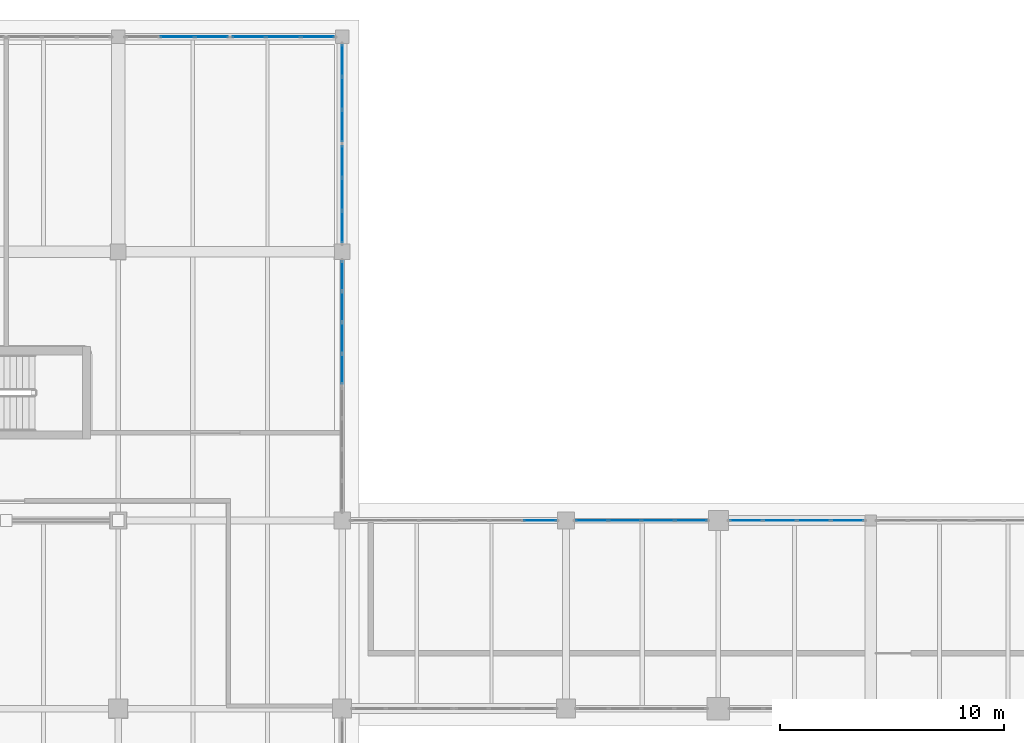
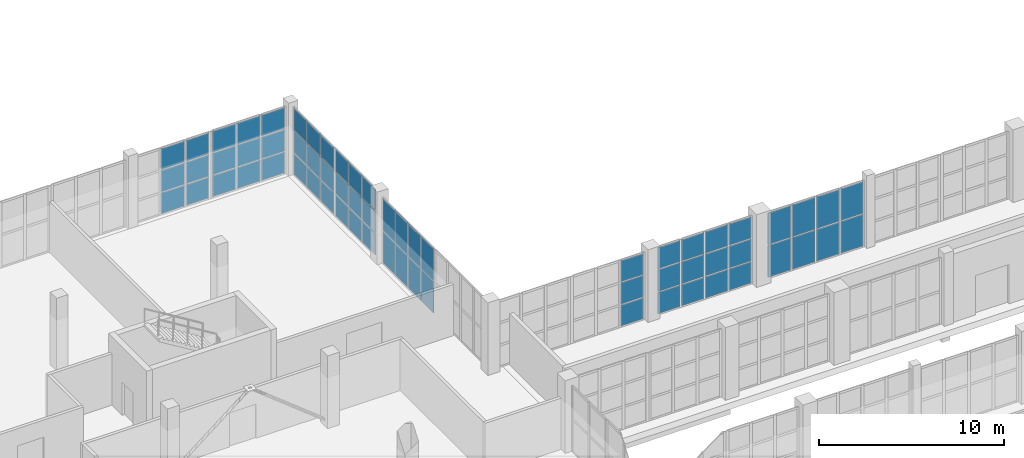
# One storey, part 89 of 121: 64 plates, 8 elements without a shape of their own.
"""IFC4 building model written with IfcOpenShell, lengths in metres."""

from ifc_helpers import new_model, si_unit, direction, frame, origin, origin_2d, place, context, subcontext, project, spatial, rectangle, extrude, material, layer, layer_set, type_object, element, aggregate, save


model = new_model("IFC4")

# Units and contexts
model_context = context("Model", 3, precision=1e-05, world=origin(), true_north=direction((0.0, 1.0)))
body_context = subcontext(model_context, "Body", "Model", "MODEL_VIEW")
ifc_project = project(units=[si_unit("LENGTHUNIT", "METRE"), si_unit("AREAUNIT", "SQUARE_METRE"), si_unit("VOLUMEUNIT", "CUBIC_METRE"), si_unit("PLANEANGLEUNIT", "RADIAN"), si_unit("MASSUNIT", "GRAM", prefix="KILO")], contexts=[model_context])

# Site, building, storey
site_placement = place(None, origin())
site = spatial("IfcSite", under=ifc_project, at=site_placement, CompositionType="ELEMENT")
building_placement = place(site_placement, origin())
building = spatial("IfcBuilding", under=site, at=building_placement, Name="Zereglee Splitstone Museum", CompositionType="ELEMENT")
storey_placement = place(building_placement, origin())
storey = spatial("IfcBuildingStorey", under=building, at=storey_placement, Name="L00", CompositionType="ELEMENT", Elevation=0.0)

# Curtain wall, plates
ifc_material_1 = material(Name="Triple-glazed low-E argon glass and bronze-anodised aluminium", Category="aluminium")
ifc_layer_1 = layer(ifc_material_1, 0.179931640625)
ifc_layer_set_1 = layer_set([ifc_layer_1], Name="Triple-glazed low-E argon glass and bronze-anodised aluminium")
curtain_wall_type_1 = type_object("IfcCurtainWallType", Name="CW-0608-438", PredefinedType="USERDEFINED", material=ifc_layer_set_1)
curtain_wall_1_placement = place(storey_placement, origin())
curtain_wall_1 = element("IfcCurtainWall", 1, at=curtain_wall_1_placement, inside=storey, type_object=curtain_wall_type_1, Name="Glazed Curtain Wall CW-0608-438 (L00)", ObjectType="GLAZED CURTAIN WALL", PredefinedType="USERDEFINED")
ifc_material_2 = material(Name="Triple low-e argon insulated safety glass", Category="glass")
ifc_layer_2 = layer(ifc_material_2, 0.035888671875)
ifc_layer_set_2 = layer_set([ifc_layer_2], Name="Triple low-e argon insulated safety glass")
plate_type = type_object("IfcPlateType", Name="CWP-01", PredefinedType="CURTAIN_PANEL", material=ifc_layer_set_2)
plate_1_placement = place(storey_placement, frame((227.76513671875, 38.39990234375, 0.06494140625), z_axis=(0.0, 0.0, 1.0), x_axis=(-1.0, 0.0, 0.0)))
plate_1 = element("IfcPlate", 2, at=plate_1_placement, type_object=plate_type, Name="CW-0608-438 panel 1.1", PredefinedType="CURTAIN_PANEL", context=body_context, shape_type="SweptSolid", body=[
    extrude(rectangle(XDim=1.423583984375, YDim=0.035888671875, at=origin_2d()), origin(), (0.0, 0.0, 1.0), 2.092529296875),
])
plate_2_placement = place(storey_placement, frame((227.76513671875, 38.39990234375, 2.22265625), z_axis=(0.0, 0.0, 1.0), x_axis=(-1.0, 0.0, 0.0)))
plate_2 = element("IfcPlate", 3, at=plate_2_placement, type_object=plate_type, Name="CW-0608-438 panel 1.2", PredefinedType="CURTAIN_PANEL", context=body_context, shape_type="SweptSolid", body=[
    extrude(rectangle(XDim=1.423583984375, YDim=0.035888671875, at=origin_2d()), origin(), (0.0, 0.0, 1.0), 2.092529296875),
])
plate_3_placement = place(storey_placement, frame((226.260498046875, 38.39990234375, 0.06494140625), z_axis=(0.0, 0.0, 1.0), x_axis=(-1.0, 0.0, 0.0)))
plate_3 = element("IfcPlate", 4, at=plate_3_placement, type_object=plate_type, Name="CW-0608-438 panel 2.1", PredefinedType="CURTAIN_PANEL", context=body_context, shape_type="SweptSolid", body=[
    extrude(rectangle(XDim=1.4560546875, YDim=0.035888671875, at=origin_2d()), origin(), (0.0, 0.0, 1.0), 2.092529296875),
])
plate_4_placement = place(storey_placement, frame((226.260498046875, 38.39990234375, 2.22265625), z_axis=(0.0, 0.0, 1.0), x_axis=(-1.0, 0.0, 0.0)))
plate_4 = element("IfcPlate", 5, at=plate_4_placement, type_object=plate_type, Name="CW-0608-438 panel 2.2", PredefinedType="CURTAIN_PANEL", context=body_context, shape_type="SweptSolid", body=[
    extrude(rectangle(XDim=1.4560546875, YDim=0.035888671875, at=origin_2d()), origin(), (0.0, 0.0, 1.0), 2.092529296875),
])
plate_5_placement = place(storey_placement, frame((224.739501953125, 38.39990234375, 0.06494140625), z_axis=(0.0, 0.0, 1.0), x_axis=(-1.0, 0.0, 0.0)))
plate_5 = element("IfcPlate", 6, at=plate_5_placement, type_object=plate_type, Name="CW-0608-438 panel 3.1", PredefinedType="CURTAIN_PANEL", context=body_context, shape_type="SweptSolid", body=[
    extrude(rectangle(XDim=1.4560546875, YDim=0.035888671875, at=origin_2d()), origin(), (0.0, 0.0, 1.0), 2.092529296875),
])
plate_6_placement = place(storey_placement, frame((224.739501953125, 38.39990234375, 2.22265625), z_axis=(0.0, 0.0, 1.0), x_axis=(-1.0, 0.0, 0.0)))
plate_6 = element("IfcPlate", 7, at=plate_6_placement, type_object=plate_type, Name="CW-0608-438 panel 3.2", PredefinedType="CURTAIN_PANEL", context=body_context, shape_type="SweptSolid", body=[
    extrude(rectangle(XDim=1.4560546875, YDim=0.035888671875, at=origin_2d()), origin(), (0.0, 0.0, 1.0), 2.092529296875),
])
plate_7_placement = place(storey_placement, frame((223.23486328125, 38.39990234375, 0.06494140625), z_axis=(0.0, 0.0, 1.0), x_axis=(-1.0, 0.0, 0.0)))
plate_7 = element("IfcPlate", 8, at=plate_7_placement, type_object=plate_type, Name="CW-0608-438 panel 4.1", PredefinedType="CURTAIN_PANEL", context=body_context, shape_type="SweptSolid", body=[
    extrude(rectangle(XDim=1.423583984375, YDim=0.035888671875, at=origin_2d()), origin(), (0.0, 0.0, 1.0), 2.092529296875),
])
plate_8_placement = place(storey_placement, frame((223.23486328125, 38.39990234375, 2.22265625), z_axis=(0.0, 0.0, 1.0), x_axis=(-1.0, 0.0, 0.0)))
plate_8 = element("IfcPlate", 9, at=plate_8_placement, type_object=plate_type, Name="CW-0608-438 panel 4.2", PredefinedType="CURTAIN_PANEL", context=body_context, shape_type="SweptSolid", body=[
    extrude(rectangle(XDim=1.423583984375, YDim=0.035888671875, at=origin_2d()), origin(), (0.0, 0.0, 1.0), 2.092529296875),
])
aggregate(curtain_wall_1, [plate_1, plate_2, plate_3, plate_4, plate_5, plate_6, plate_7, plate_8])

ifc_layer_3 = layer(ifc_material_1, 0.179931640625)
ifc_layer_set_3 = layer_set([ifc_layer_3], Name="Triple-glazed low-E argon glass and bronze-anodised aluminium")
curtain_wall_type_2 = type_object("IfcCurtainWallType", Name="CW-0596-450", PredefinedType="USERDEFINED", material=ifc_layer_set_3)
curtain_wall_2_placement = place(storey_placement, origin())
curtain_wall_2 = element("IfcCurtainWall", 10, at=curtain_wall_2_placement, inside=storey, type_object=curtain_wall_type_2, Name="Glazed Curtain Wall CW-0596-450 (L00)", ObjectType="GLAZED CURTAIN WALL", PredefinedType="USERDEFINED")
plate_9_placement = place(storey_placement, frame((220.78076171875, 38.39990234375, 0.06494140625), z_axis=(0.0, 0.0, 1.0), x_axis=(-1.0, 0.0, 0.0)))
plate_9 = element("IfcPlate", 11, at=plate_9_placement, type_object=plate_type, Name="CW-0596-450 panel 1.1", PredefinedType="CURTAIN_PANEL", context=body_context, shape_type="SweptSolid", body=[
    extrude(rectangle(XDim=1.392333984375, YDim=0.035888671875, at=origin_2d()), origin(), (0.0, 0.0, 1.0), 1.402587890625),
])
plate_10_placement = place(storey_placement, frame((220.78076171875, 38.39990234375, 1.532470703125), z_axis=(0.0, 0.0, 1.0), x_axis=(-1.0, 0.0, 0.0)))
plate_10 = element("IfcPlate", 12, at=plate_10_placement, type_object=plate_type, Name="CW-0596-450 panel 1.2", PredefinedType="CURTAIN_PANEL", context=body_context, shape_type="SweptSolid", body=[
    extrude(rectangle(XDim=1.392333984375, YDim=0.035888671875, at=origin_2d()), origin(), (0.0, 0.0, 1.0), 1.43505859375),
])
plate_11_placement = place(storey_placement, frame((220.78076171875, 38.39990234375, 3.0322265625), z_axis=(0.0, 0.0, 1.0), x_axis=(-1.0, 0.0, 0.0)))
plate_11 = element("IfcPlate", 13, at=plate_11_placement, type_object=plate_type, Name="CW-0596-450 panel 1.3", PredefinedType="CURTAIN_PANEL", context=body_context, shape_type="SweptSolid", body=[
    extrude(rectangle(XDim=1.392333984375, YDim=0.035888671875, at=origin_2d()), origin(), (0.0, 0.0, 1.0), 1.402587890625),
])
plate_12_placement = place(storey_placement, frame((219.307373046875, 38.39990234375, 0.06494140625), z_axis=(0.0, 0.0, 1.0), x_axis=(-1.0, 0.0, 0.0)))
plate_12 = element("IfcPlate", 14, at=plate_12_placement, type_object=plate_type, Name="CW-0596-450 panel 2.1", PredefinedType="CURTAIN_PANEL", context=body_context, shape_type="SweptSolid", body=[
    extrude(rectangle(XDim=1.4248046875, YDim=0.035888671875, at=origin_2d()), origin(), (0.0, 0.0, 1.0), 1.402587890625),
])
plate_13_placement = place(storey_placement, frame((219.307373046875, 38.39990234375, 1.532470703125), z_axis=(0.0, 0.0, 1.0), x_axis=(-1.0, 0.0, 0.0)))
plate_13 = element("IfcPlate", 15, at=plate_13_placement, type_object=plate_type, Name="CW-0596-450 panel 2.2", PredefinedType="CURTAIN_PANEL", context=body_context, shape_type="SweptSolid", body=[
    extrude(rectangle(XDim=1.4248046875, YDim=0.035888671875, at=origin_2d()), origin(), (0.0, 0.0, 1.0), 1.43505859375),
])
plate_14_placement = place(storey_placement, frame((219.307373046875, 38.39990234375, 3.0322265625), z_axis=(0.0, 0.0, 1.0), x_axis=(-1.0, 0.0, 0.0)))
plate_14 = element("IfcPlate", 16, at=plate_14_placement, type_object=plate_type, Name="CW-0596-450 panel 2.3", PredefinedType="CURTAIN_PANEL", context=body_context, shape_type="SweptSolid", body=[
    extrude(rectangle(XDim=1.4248046875, YDim=0.035888671875, at=origin_2d()), origin(), (0.0, 0.0, 1.0), 1.402587890625),
])
plate_15_placement = place(storey_placement, frame((217.817626953125, 38.39990234375, 0.06494140625), z_axis=(0.0, 0.0, 1.0), x_axis=(-1.0, 0.0, 0.0)))
plate_15 = element("IfcPlate", 17, at=plate_15_placement, type_object=plate_type, Name="CW-0596-450 panel 3.1", PredefinedType="CURTAIN_PANEL", context=body_context, shape_type="SweptSolid", body=[
    extrude(rectangle(XDim=1.4248046875, YDim=0.035888671875, at=origin_2d()), origin(), (0.0, 0.0, 1.0), 1.402587890625),
])
plate_16_placement = place(storey_placement, frame((217.817626953125, 38.39990234375, 1.532470703125), z_axis=(0.0, 0.0, 1.0), x_axis=(-1.0, 0.0, 0.0)))
plate_16 = element("IfcPlate", 18, at=plate_16_placement, type_object=plate_type, Name="CW-0596-450 panel 3.2", PredefinedType="CURTAIN_PANEL", context=body_context, shape_type="SweptSolid", body=[
    extrude(rectangle(XDim=1.4248046875, YDim=0.035888671875, at=origin_2d()), origin(), (0.0, 0.0, 1.0), 1.43505859375),
])
plate_17_placement = place(storey_placement, frame((217.817626953125, 38.39990234375, 3.0322265625), z_axis=(0.0, 0.0, 1.0), x_axis=(-1.0, 0.0, 0.0)))
plate_17 = element("IfcPlate", 19, at=plate_17_placement, type_object=plate_type, Name="CW-0596-450 panel 3.3", PredefinedType="CURTAIN_PANEL", context=body_context, shape_type="SweptSolid", body=[
    extrude(rectangle(XDim=1.4248046875, YDim=0.035888671875, at=origin_2d()), origin(), (0.0, 0.0, 1.0), 1.402587890625),
])
plate_18_placement = place(storey_placement, frame((216.34423828125, 38.39990234375, 0.06494140625), z_axis=(0.0, 0.0, 1.0), x_axis=(-1.0, 0.0, 0.0)))
plate_18 = element("IfcPlate", 20, at=plate_18_placement, type_object=plate_type, Name="CW-0596-450 panel 4.1", PredefinedType="CURTAIN_PANEL", context=body_context, shape_type="SweptSolid", body=[
    extrude(rectangle(XDim=1.392333984375, YDim=0.035888671875, at=origin_2d()), origin(), (0.0, 0.0, 1.0), 1.402587890625),
])
plate_19_placement = place(storey_placement, frame((216.34423828125, 38.39990234375, 1.532470703125), z_axis=(0.0, 0.0, 1.0), x_axis=(-1.0, 0.0, 0.0)))
plate_19 = element("IfcPlate", 21, at=plate_19_placement, type_object=plate_type, Name="CW-0596-450 panel 4.2", PredefinedType="CURTAIN_PANEL", context=body_context, shape_type="SweptSolid", body=[
    extrude(rectangle(XDim=1.392333984375, YDim=0.035888671875, at=origin_2d()), origin(), (0.0, 0.0, 1.0), 1.43505859375),
])
plate_20_placement = place(storey_placement, frame((216.34423828125, 38.39990234375, 3.0322265625), z_axis=(0.0, 0.0, 1.0), x_axis=(-1.0, 0.0, 0.0)))
plate_20 = element("IfcPlate", 22, at=plate_20_placement, type_object=plate_type, Name="CW-0596-450 panel 4.3", PredefinedType="CURTAIN_PANEL", context=body_context, shape_type="SweptSolid", body=[
    extrude(rectangle(XDim=1.392333984375, YDim=0.035888671875, at=origin_2d()), origin(), (0.0, 0.0, 1.0), 1.402587890625),
])
aggregate(curtain_wall_2, [plate_9, plate_10, plate_11, plate_12, plate_13, plate_14, plate_15, plate_16, plate_17, plate_18, plate_19, plate_20])

ifc_layer_4 = layer(ifc_material_1, 0.179931640625)
ifc_layer_set_4 = layer_set([ifc_layer_4], Name="Triple-glazed low-E argon glass and bronze-anodised aluminium")
curtain_wall_type_3 = type_object("IfcCurtainWallType", Name="CW-0458-444", PredefinedType="USERDEFINED", material=ifc_layer_set_4)
curtain_wall_3_placement = place(storey_placement, origin())
curtain_wall_3 = element("IfcCurtainWall", 23, at=curtain_wall_3_placement, inside=storey, type_object=curtain_wall_type_3, Name="Glazed Curtain Wall CW-0458-444 (L00)", ObjectType="GLAZED CURTAIN WALL", PredefinedType="USERDEFINED")
plate_21_placement = place(storey_placement, frame((214.037841796875, 38.39990234375, 0.06494140625), z_axis=(0.0, 0.0, 1.0), x_axis=(-1.0, 0.0, 0.0)))
plate_21 = element("IfcPlate", 24, at=plate_21_placement, type_object=plate_type, Name="CW-0458-444 panel 1.1", PredefinedType="CURTAIN_PANEL", context=body_context, shape_type="SweptSolid", body=[
    extrude(rectangle(XDim=1.42822265625, YDim=0.035888671875, at=origin_2d()), origin(), (0.0, 0.0, 1.0), 1.382568359375),
])
plate_22_placement = place(storey_placement, frame((214.037841796875, 38.39990234375, 1.512451171875), z_axis=(0.0, 0.0, 1.0), x_axis=(-1.0, 0.0, 0.0)))
plate_22 = element("IfcPlate", 25, at=plate_22_placement, type_object=plate_type, Name="CW-0458-444 panel 1.2", PredefinedType="CURTAIN_PANEL", context=body_context, shape_type="SweptSolid", body=[
    extrude(rectangle(XDim=1.42822265625, YDim=0.035888671875, at=origin_2d()), origin(), (0.0, 0.0, 1.0), 1.4150390625),
])
plate_23_placement = place(storey_placement, frame((214.037841796875, 38.39990234375, 2.99267578125), z_axis=(0.0, 0.0, 1.0), x_axis=(-1.0, 0.0, 0.0)))
plate_23 = element("IfcPlate", 26, at=plate_23_placement, type_object=plate_type, Name="CW-0458-444 panel 1.3", PredefinedType="CURTAIN_PANEL", context=body_context, shape_type="SweptSolid", body=[
    extrude(rectangle(XDim=1.42822265625, YDim=0.035888671875, at=origin_2d()), origin(), (0.0, 0.0, 1.0), 1.382568359375),
])
aggregate(curtain_wall_3, [plate_21, plate_22, plate_23])

ifc_layer_5 = layer(ifc_material_1, 0.179931640625)
ifc_layer_set_5 = layer_set([ifc_layer_5], Name="Triple-glazed low-E argon glass and bronze-anodised aluminium")
curtain_wall_type_4 = type_object("IfcCurtainWallType", Name="CW-0559-436", PredefinedType="USERDEFINED", material=ifc_layer_set_5)
curtain_wall_4_placement = place(storey_placement, origin())
curtain_wall_4 = element("IfcCurtainWall", 27, at=curtain_wall_4_placement, inside=storey, type_object=curtain_wall_type_4, Name="Glazed Curtain Wall CW-0559-436 (L00)", ObjectType="GLAZED CURTAIN WALL", PredefinedType="USERDEFINED")
plate_24_placement = place(storey_placement, frame((205.199951171875, 45.16748046875, 0.06494140625), z_axis=(0.0, 0.0, 1.0), x_axis=(0.0, 1.0, 0.0)))
plate_24 = element("IfcPlate", 28, at=plate_24_placement, type_object=plate_type, Name="CW-0559-436 panel 1.1", PredefinedType="CURTAIN_PANEL", context=body_context, shape_type="SweptSolid", body=[
    extrude(rectangle(XDim=1.2998046875, YDim=0.035888671875, at=origin_2d()), origin(), (0.0, 0.0, 1.0), 2.08251953125),
])
plate_25_placement = place(storey_placement, frame((205.199951171875, 45.16748046875, 2.21240234375), z_axis=(0.0, 0.0, 1.0), x_axis=(0.0, 1.0, 0.0)))
plate_25 = element("IfcPlate", 29, at=plate_25_placement, type_object=plate_type, Name="CW-0559-436 panel 1.2", PredefinedType="CURTAIN_PANEL", context=body_context, shape_type="SweptSolid", body=[
    extrude(rectangle(XDim=1.2998046875, YDim=0.035888671875, at=origin_2d()), origin(), (0.0, 0.0, 1.0), 2.08251953125),
])
plate_26_placement = place(storey_placement, frame((205.199951171875, 46.548583984375, 0.06494140625), z_axis=(0.0, 0.0, 1.0), x_axis=(0.0, 1.0, 0.0)))
plate_26 = element("IfcPlate", 30, at=plate_26_placement, type_object=plate_type, Name="CW-0559-436 panel 2.1", PredefinedType="CURTAIN_PANEL", context=body_context, shape_type="SweptSolid", body=[
    extrude(rectangle(XDim=1.332275390625, YDim=0.035888671875, at=origin_2d()), origin(), (0.0, 0.0, 1.0), 2.08251953125),
])
plate_27_placement = place(storey_placement, frame((205.199951171875, 46.548583984375, 2.21240234375), z_axis=(0.0, 0.0, 1.0), x_axis=(0.0, 1.0, 0.0)))
plate_27 = element("IfcPlate", 31, at=plate_27_placement, type_object=plate_type, Name="CW-0559-436 panel 2.2", PredefinedType="CURTAIN_PANEL", context=body_context, shape_type="SweptSolid", body=[
    extrude(rectangle(XDim=1.332275390625, YDim=0.035888671875, at=origin_2d()), origin(), (0.0, 0.0, 1.0), 2.08251953125),
])
plate_28_placement = place(storey_placement, frame((205.199951171875, 47.946044921875, 0.06494140625), z_axis=(0.0, 0.0, 1.0), x_axis=(0.0, 1.0, 0.0)))
plate_28 = element("IfcPlate", 32, at=plate_28_placement, type_object=plate_type, Name="CW-0559-436 panel 3.1", PredefinedType="CURTAIN_PANEL", context=body_context, shape_type="SweptSolid", body=[
    extrude(rectangle(XDim=1.332275390625, YDim=0.035888671875, at=origin_2d()), origin(), (0.0, 0.0, 1.0), 2.08251953125),
])
plate_29_placement = place(storey_placement, frame((205.199951171875, 47.946044921875, 2.21240234375), z_axis=(0.0, 0.0, 1.0), x_axis=(0.0, 1.0, 0.0)))
plate_29 = element("IfcPlate", 33, at=plate_29_placement, type_object=plate_type, Name="CW-0559-436 panel 3.2", PredefinedType="CURTAIN_PANEL", context=body_context, shape_type="SweptSolid", body=[
    extrude(rectangle(XDim=1.332275390625, YDim=0.035888671875, at=origin_2d()), origin(), (0.0, 0.0, 1.0), 2.08251953125),
])
plate_30_placement = place(storey_placement, frame((205.199951171875, 49.3271484375, 0.06494140625), z_axis=(0.0, 0.0, 1.0), x_axis=(0.0, 1.0, 0.0)))
plate_30 = element("IfcPlate", 34, at=plate_30_placement, type_object=plate_type, Name="CW-0559-436 panel 4.1", PredefinedType="CURTAIN_PANEL", context=body_context, shape_type="SweptSolid", body=[
    extrude(rectangle(XDim=1.2998046875, YDim=0.035888671875, at=origin_2d()), origin(), (0.0, 0.0, 1.0), 2.08251953125),
])
plate_31_placement = place(storey_placement, frame((205.199951171875, 49.3271484375, 2.21240234375), z_axis=(0.0, 0.0, 1.0), x_axis=(0.0, 1.0, 0.0)))
plate_31 = element("IfcPlate", 35, at=plate_31_placement, type_object=plate_type, Name="CW-0559-436 panel 4.2", PredefinedType="CURTAIN_PANEL", context=body_context, shape_type="SweptSolid", body=[
    extrude(rectangle(XDim=1.2998046875, YDim=0.035888671875, at=origin_2d()), origin(), (0.0, 0.0, 1.0), 2.08251953125),
])
aggregate(curtain_wall_4, [plate_24, plate_25, plate_26, plate_27, plate_28, plate_29, plate_30, plate_31])

ifc_layer_6 = layer(ifc_material_1, 0.179931640625)
ifc_layer_set_6 = layer_set([ifc_layer_6], Name="Triple-glazed low-E argon glass and bronze-anodised aluminium")
curtain_wall_type_5 = type_object("IfcCurtainWallType", Name="CW-0443-450", PredefinedType="USERDEFINED", material=ifc_layer_set_6)
curtain_wall_5_placement = place(storey_placement, origin())
curtain_wall_5 = element("IfcCurtainWall", 36, at=curtain_wall_5_placement, inside=storey, type_object=curtain_wall_type_5, Name="Glazed Curtain Wall CW-0443-450 (L00)", ObjectType="GLAZED CURTAIN WALL", PredefinedType="USERDEFINED")
plate_32_placement = place(storey_placement, frame((205.199951171875, 51.511962890625, 0.06494140625), z_axis=(0.0, 0.0, 1.0), x_axis=(0.0, 1.0, 0.0)))
plate_32 = element("IfcPlate", 37, at=plate_32_placement, type_object=plate_type, Name="CW-0443-450 panel 1.1", PredefinedType="CURTAIN_PANEL", context=body_context, shape_type="SweptSolid", body=[
    extrude(rectangle(XDim=1.378173828125, YDim=0.035888671875, at=origin_2d()), origin(), (0.0, 0.0, 1.0), 1.402587890625),
])
plate_33_placement = place(storey_placement, frame((205.199951171875, 51.511962890625, 1.532470703125), z_axis=(0.0, 0.0, 1.0), x_axis=(0.0, 1.0, 0.0)))
plate_33 = element("IfcPlate", 38, at=plate_33_placement, type_object=plate_type, Name="CW-0443-450 panel 1.2", PredefinedType="CURTAIN_PANEL", context=body_context, shape_type="SweptSolid", body=[
    extrude(rectangle(XDim=1.378173828125, YDim=0.035888671875, at=origin_2d()), origin(), (0.0, 0.0, 1.0), 1.43505859375),
])
plate_34_placement = place(storey_placement, frame((205.199951171875, 51.511962890625, 3.0322265625), z_axis=(0.0, 0.0, 1.0), x_axis=(0.0, 1.0, 0.0)))
plate_34 = element("IfcPlate", 39, at=plate_34_placement, type_object=plate_type, Name="CW-0443-450 panel 1.3", PredefinedType="CURTAIN_PANEL", context=body_context, shape_type="SweptSolid", body=[
    extrude(rectangle(XDim=1.378173828125, YDim=0.035888671875, at=origin_2d()), origin(), (0.0, 0.0, 1.0), 1.402587890625),
])
plate_35_placement = place(storey_placement, frame((205.199951171875, 52.971435546875, 0.06494140625), z_axis=(0.0, 0.0, 1.0), x_axis=(0.0, 1.0, 0.0)))
plate_35 = element("IfcPlate", 40, at=plate_35_placement, type_object=plate_type, Name="CW-0443-450 panel 2.1", PredefinedType="CURTAIN_PANEL", context=body_context, shape_type="SweptSolid", body=[
    extrude(rectangle(XDim=1.41064453125, YDim=0.035888671875, at=origin_2d()), origin(), (0.0, 0.0, 1.0), 1.402587890625),
])
plate_36_placement = place(storey_placement, frame((205.199951171875, 52.971435546875, 1.532470703125), z_axis=(0.0, 0.0, 1.0), x_axis=(0.0, 1.0, 0.0)))
plate_36 = element("IfcPlate", 41, at=plate_36_placement, type_object=plate_type, Name="CW-0443-450 panel 2.2", PredefinedType="CURTAIN_PANEL", context=body_context, shape_type="SweptSolid", body=[
    extrude(rectangle(XDim=1.41064453125, YDim=0.035888671875, at=origin_2d()), origin(), (0.0, 0.0, 1.0), 1.43505859375),
])
plate_37_placement = place(storey_placement, frame((205.199951171875, 52.971435546875, 3.0322265625), z_axis=(0.0, 0.0, 1.0), x_axis=(0.0, 1.0, 0.0)))
plate_37 = element("IfcPlate", 42, at=plate_37_placement, type_object=plate_type, Name="CW-0443-450 panel 2.3", PredefinedType="CURTAIN_PANEL", context=body_context, shape_type="SweptSolid", body=[
    extrude(rectangle(XDim=1.41064453125, YDim=0.035888671875, at=origin_2d()), origin(), (0.0, 0.0, 1.0), 1.402587890625),
])
plate_38_placement = place(storey_placement, frame((205.199951171875, 54.430908203125, 0.06494140625), z_axis=(0.0, 0.0, 1.0), x_axis=(0.0, 1.0, 0.0)))
plate_38 = element("IfcPlate", 43, at=plate_38_placement, type_object=plate_type, Name="CW-0443-450 panel 3.1", PredefinedType="CURTAIN_PANEL", context=body_context, shape_type="SweptSolid", body=[
    extrude(rectangle(XDim=1.378173828125, YDim=0.035888671875, at=origin_2d()), origin(), (0.0, 0.0, 1.0), 1.402587890625),
])
plate_39_placement = place(storey_placement, frame((205.199951171875, 54.430908203125, 1.532470703125), z_axis=(0.0, 0.0, 1.0), x_axis=(0.0, 1.0, 0.0)))
plate_39 = element("IfcPlate", 44, at=plate_39_placement, type_object=plate_type, Name="CW-0443-450 panel 3.2", PredefinedType="CURTAIN_PANEL", context=body_context, shape_type="SweptSolid", body=[
    extrude(rectangle(XDim=1.378173828125, YDim=0.035888671875, at=origin_2d()), origin(), (0.0, 0.0, 1.0), 1.43505859375),
])
plate_40_placement = place(storey_placement, frame((205.199951171875, 54.430908203125, 3.0322265625), z_axis=(0.0, 0.0, 1.0), x_axis=(0.0, 1.0, 0.0)))
plate_40 = element("IfcPlate", 45, at=plate_40_placement, type_object=plate_type, Name="CW-0443-450 panel 3.3", PredefinedType="CURTAIN_PANEL", context=body_context, shape_type="SweptSolid", body=[
    extrude(rectangle(XDim=1.378173828125, YDim=0.035888671875, at=origin_2d()), origin(), (0.0, 0.0, 1.0), 1.402587890625),
])
aggregate(curtain_wall_5, [plate_32, plate_33, plate_34, plate_35, plate_36, plate_37, plate_38, plate_39, plate_40])

ifc_layer_7 = layer(ifc_material_1, 0.179931640625)
ifc_layer_set_7 = layer_set([ifc_layer_7], Name="Triple-glazed low-E argon glass and bronze-anodised aluminium")
curtain_wall_type_6 = type_object("IfcCurtainWallType", Name="CW-0443-448", PredefinedType="USERDEFINED", material=ifc_layer_set_7)
curtain_wall_6_placement = place(storey_placement, origin())
curtain_wall_6 = element("IfcCurtainWall", 46, at=curtain_wall_6_placement, inside=storey, type_object=curtain_wall_type_6, Name="Glazed Curtain Wall CW-0443-448 (L00)", ObjectType="GLAZED CURTAIN WALL", PredefinedType="USERDEFINED")
plate_41_placement = place(storey_placement, frame((205.199951171875, 56.01904296875, 0.06494140625), z_axis=(0.0, 0.0, 1.0), x_axis=(0.0, 1.0, 0.0)))
plate_41 = element("IfcPlate", 47, at=plate_41_placement, type_object=plate_type, Name="CW-0443-448 panel 1.1", PredefinedType="CURTAIN_PANEL", context=body_context, shape_type="SweptSolid", body=[
    extrude(rectangle(XDim=1.378173828125, YDim=0.035888671875, at=origin_2d()), origin(), (0.0, 0.0, 1.0), 1.395751953125),
])
plate_42_placement = place(storey_placement, frame((205.199951171875, 56.01904296875, 1.52587890625), z_axis=(0.0, 0.0, 1.0), x_axis=(0.0, 1.0, 0.0)))
plate_42 = element("IfcPlate", 48, at=plate_42_placement, type_object=plate_type, Name="CW-0443-448 panel 1.2", PredefinedType="CURTAIN_PANEL", context=body_context, shape_type="SweptSolid", body=[
    extrude(rectangle(XDim=1.378173828125, YDim=0.035888671875, at=origin_2d()), origin(), (0.0, 0.0, 1.0), 1.428466796875),
])
plate_43_placement = place(storey_placement, frame((205.199951171875, 56.01904296875, 3.01904296875), z_axis=(0.0, 0.0, 1.0), x_axis=(0.0, 1.0, 0.0)))
plate_43 = element("IfcPlate", 49, at=plate_43_placement, type_object=plate_type, Name="CW-0443-448 panel 1.3", PredefinedType="CURTAIN_PANEL", context=body_context, shape_type="SweptSolid", body=[
    extrude(rectangle(XDim=1.378173828125, YDim=0.035888671875, at=origin_2d()), origin(), (0.0, 0.0, 1.0), 1.395751953125),
])
plate_44_placement = place(storey_placement, frame((205.199951171875, 57.478515625, 0.06494140625), z_axis=(0.0, 0.0, 1.0), x_axis=(0.0, 1.0, 0.0)))
plate_44 = element("IfcPlate", 50, at=plate_44_placement, type_object=plate_type, Name="CW-0443-448 panel 2.1", PredefinedType="CURTAIN_PANEL", context=body_context, shape_type="SweptSolid", body=[
    extrude(rectangle(XDim=1.41064453125, YDim=0.035888671875, at=origin_2d()), origin(), (0.0, 0.0, 1.0), 1.395751953125),
])
plate_45_placement = place(storey_placement, frame((205.199951171875, 57.478515625, 1.52587890625), z_axis=(0.0, 0.0, 1.0), x_axis=(0.0, 1.0, 0.0)))
plate_45 = element("IfcPlate", 51, at=plate_45_placement, type_object=plate_type, Name="CW-0443-448 panel 2.2", PredefinedType="CURTAIN_PANEL", context=body_context, shape_type="SweptSolid", body=[
    extrude(rectangle(XDim=1.41064453125, YDim=0.035888671875, at=origin_2d()), origin(), (0.0, 0.0, 1.0), 1.428466796875),
])
plate_46_placement = place(storey_placement, frame((205.199951171875, 57.478515625, 3.01904296875), z_axis=(0.0, 0.0, 1.0), x_axis=(0.0, 1.0, 0.0)))
plate_46 = element("IfcPlate", 52, at=plate_46_placement, type_object=plate_type, Name="CW-0443-448 panel 2.3", PredefinedType="CURTAIN_PANEL", context=body_context, shape_type="SweptSolid", body=[
    extrude(rectangle(XDim=1.41064453125, YDim=0.035888671875, at=origin_2d()), origin(), (0.0, 0.0, 1.0), 1.395751953125),
])
plate_47_placement = place(storey_placement, frame((205.199951171875, 58.93798828125, 0.06494140625), z_axis=(0.0, 0.0, 1.0), x_axis=(0.0, 1.0, 0.0)))
plate_47 = element("IfcPlate", 53, at=plate_47_placement, type_object=plate_type, Name="CW-0443-448 panel 3.1", PredefinedType="CURTAIN_PANEL", context=body_context, shape_type="SweptSolid", body=[
    extrude(rectangle(XDim=1.378173828125, YDim=0.035888671875, at=origin_2d()), origin(), (0.0, 0.0, 1.0), 1.395751953125),
])
plate_48_placement = place(storey_placement, frame((205.199951171875, 58.93798828125, 1.52587890625), z_axis=(0.0, 0.0, 1.0), x_axis=(0.0, 1.0, 0.0)))
plate_48 = element("IfcPlate", 54, at=plate_48_placement, type_object=plate_type, Name="CW-0443-448 panel 3.2", PredefinedType="CURTAIN_PANEL", context=body_context, shape_type="SweptSolid", body=[
    extrude(rectangle(XDim=1.378173828125, YDim=0.035888671875, at=origin_2d()), origin(), (0.0, 0.0, 1.0), 1.428466796875),
])
plate_49_placement = place(storey_placement, frame((205.199951171875, 58.93798828125, 3.01904296875), z_axis=(0.0, 0.0, 1.0), x_axis=(0.0, 1.0, 0.0)))
plate_49 = element("IfcPlate", 55, at=plate_49_placement, type_object=plate_type, Name="CW-0443-448 panel 3.3", PredefinedType="CURTAIN_PANEL", context=body_context, shape_type="SweptSolid", body=[
    extrude(rectangle(XDim=1.378173828125, YDim=0.035888671875, at=origin_2d()), origin(), (0.0, 0.0, 1.0), 1.395751953125),
])
aggregate(curtain_wall_6, [plate_41, plate_42, plate_43, plate_44, plate_45, plate_46, plate_47, plate_48, plate_49])

ifc_layer_8 = layer(ifc_material_1, 0.179931640625)
ifc_layer_set_8 = layer_set([ifc_layer_8], Name="Triple-glazed low-E argon glass and bronze-anodised aluminium")
curtain_wall_type_7 = type_object("IfcCurtainWallType", Name="CW-0465-444", PredefinedType="USERDEFINED", material=ifc_layer_set_8)
curtain_wall_7_placement = place(storey_placement, origin())
curtain_wall_7 = element("IfcCurtainWall", 56, at=curtain_wall_7_placement, inside=storey, type_object=curtain_wall_type_7, Name="Glazed Curtain Wall CW-0465-444 (L00)", ObjectType="GLAZED CURTAIN WALL", PredefinedType="USERDEFINED")
plate_50_placement = place(storey_placement, frame((204.100341796875, 60.0, 0.06494140625), z_axis=(0.0, 0.0, 1.0), x_axis=(-1.0, 0.0, 0.0)))
plate_50 = element("IfcPlate", 57, at=plate_50_placement, type_object=plate_type, Name="CW-0465-444 panel 1.1", PredefinedType="CURTAIN_PANEL", context=body_context, shape_type="SweptSolid", body=[
    extrude(rectangle(XDim=1.453125, YDim=0.035888671875, at=origin_2d()), origin(), (0.0, 0.0, 1.0), 1.382568359375),
])
plate_51_placement = place(storey_placement, frame((204.100341796875, 60.0, 1.512451171875), z_axis=(0.0, 0.0, 1.0), x_axis=(-1.0, 0.0, 0.0)))
plate_51 = element("IfcPlate", 58, at=plate_51_placement, type_object=plate_type, Name="CW-0465-444 panel 1.2", PredefinedType="CURTAIN_PANEL", context=body_context, shape_type="SweptSolid", body=[
    extrude(rectangle(XDim=1.453125, YDim=0.035888671875, at=origin_2d()), origin(), (0.0, 0.0, 1.0), 1.4150390625),
])
plate_52_placement = place(storey_placement, frame((204.100341796875, 60.0, 2.99267578125), z_axis=(0.0, 0.0, 1.0), x_axis=(-1.0, 0.0, 0.0)))
plate_52 = element("IfcPlate", 59, at=plate_52_placement, type_object=plate_type, Name="CW-0465-444 panel 1.3", PredefinedType="CURTAIN_PANEL", context=body_context, shape_type="SweptSolid", body=[
    extrude(rectangle(XDim=1.453125, YDim=0.035888671875, at=origin_2d()), origin(), (0.0, 0.0, 1.0), 1.382568359375),
])
plate_53_placement = place(storey_placement, frame((202.56591796875, 60.0, 0.06494140625), z_axis=(0.0, 0.0, 1.0), x_axis=(-1.0, 0.0, 0.0)))
plate_53 = element("IfcPlate", 60, at=plate_53_placement, type_object=plate_type, Name="CW-0465-444 panel 2.1", PredefinedType="CURTAIN_PANEL", context=body_context, shape_type="SweptSolid", body=[
    extrude(rectangle(XDim=1.485595703125, YDim=0.035888671875, at=origin_2d()), origin(), (0.0, 0.0, 1.0), 1.382568359375),
])
plate_54_placement = place(storey_placement, frame((202.56591796875, 60.0, 1.512451171875), z_axis=(0.0, 0.0, 1.0), x_axis=(-1.0, 0.0, 0.0)))
plate_54 = element("IfcPlate", 61, at=plate_54_placement, type_object=plate_type, Name="CW-0465-444 panel 2.2", PredefinedType="CURTAIN_PANEL", context=body_context, shape_type="SweptSolid", body=[
    extrude(rectangle(XDim=1.485595703125, YDim=0.035888671875, at=origin_2d()), origin(), (0.0, 0.0, 1.0), 1.4150390625),
])
plate_55_placement = place(storey_placement, frame((202.56591796875, 60.0, 2.99267578125), z_axis=(0.0, 0.0, 1.0), x_axis=(-1.0, 0.0, 0.0)))
plate_55 = element("IfcPlate", 62, at=plate_55_placement, type_object=plate_type, Name="CW-0465-444 panel 2.3", PredefinedType="CURTAIN_PANEL", context=body_context, shape_type="SweptSolid", body=[
    extrude(rectangle(XDim=1.485595703125, YDim=0.035888671875, at=origin_2d()), origin(), (0.0, 0.0, 1.0), 1.382568359375),
])
plate_56_placement = place(storey_placement, frame((201.031494140625, 60.0, 0.06494140625), z_axis=(0.0, 0.0, 1.0), x_axis=(-1.0, 0.0, 0.0)))
plate_56 = element("IfcPlate", 63, at=plate_56_placement, type_object=plate_type, Name="CW-0465-444 panel 3.1", PredefinedType="CURTAIN_PANEL", context=body_context, shape_type="SweptSolid", body=[
    extrude(rectangle(XDim=1.453125, YDim=0.035888671875, at=origin_2d()), origin(), (0.0, 0.0, 1.0), 1.382568359375),
])
plate_57_placement = place(storey_placement, frame((201.031494140625, 60.0, 1.512451171875), z_axis=(0.0, 0.0, 1.0), x_axis=(-1.0, 0.0, 0.0)))
plate_57 = element("IfcPlate", 64, at=plate_57_placement, type_object=plate_type, Name="CW-0465-444 panel 3.2", PredefinedType="CURTAIN_PANEL", context=body_context, shape_type="SweptSolid", body=[
    extrude(rectangle(XDim=1.453125, YDim=0.035888671875, at=origin_2d()), origin(), (0.0, 0.0, 1.0), 1.4150390625),
])
plate_58_placement = place(storey_placement, frame((201.031494140625, 60.0, 2.99267578125), z_axis=(0.0, 0.0, 1.0), x_axis=(-1.0, 0.0, 0.0)))
plate_58 = element("IfcPlate", 65, at=plate_58_placement, type_object=plate_type, Name="CW-0465-444 panel 3.3", PredefinedType="CURTAIN_PANEL", context=body_context, shape_type="SweptSolid", body=[
    extrude(rectangle(XDim=1.453125, YDim=0.035888671875, at=origin_2d()), origin(), (0.0, 0.0, 1.0), 1.382568359375),
])
aggregate(curtain_wall_7, [plate_50, plate_51, plate_52, plate_53, plate_54, plate_55, plate_56, plate_57, plate_58])

ifc_layer_9 = layer(ifc_material_1, 0.179931640625)
ifc_layer_set_9 = layer_set([ifc_layer_9], Name="Triple-glazed low-E argon glass and bronze-anodised aluminium")
curtain_wall_type_8 = type_object("IfcCurtainWallType", Name="CW-0465-442", PredefinedType="USERDEFINED", material=ifc_layer_set_9)
curtain_wall_8_placement = place(storey_placement, origin())
curtain_wall_8 = element("IfcCurtainWall", 66, at=curtain_wall_8_placement, inside=storey, type_object=curtain_wall_type_8, Name="Glazed Curtain Wall CW-0465-442 (L00)", ObjectType="GLAZED CURTAIN WALL", PredefinedType="USERDEFINED")
plate_59_placement = place(storey_placement, frame((199.368408203125, 60.0, 0.06494140625), z_axis=(0.0, 0.0, 1.0), x_axis=(-1.0, 0.0, 0.0)))
plate_59 = element("IfcPlate", 67, at=plate_59_placement, type_object=plate_type, Name="CW-0465-442 panel 1.1", PredefinedType="CURTAIN_PANEL", context=body_context, shape_type="SweptSolid", body=[
    extrude(rectangle(XDim=1.453125, YDim=0.035888671875, at=origin_2d()), origin(), (0.0, 0.0, 1.0), 1.375732421875),
])
plate_60_placement = place(storey_placement, frame((199.368408203125, 60.0, 1.505859375), z_axis=(0.0, 0.0, 1.0), x_axis=(-1.0, 0.0, 0.0)))
plate_60 = element("IfcPlate", 68, at=plate_60_placement, type_object=plate_type, Name="CW-0465-442 panel 1.2", PredefinedType="CURTAIN_PANEL", context=body_context, shape_type="SweptSolid", body=[
    extrude(rectangle(XDim=1.453125, YDim=0.035888671875, at=origin_2d()), origin(), (0.0, 0.0, 1.0), 1.408447265625),
])
plate_61_placement = place(storey_placement, frame((199.368408203125, 60.0, 2.97900390625), z_axis=(0.0, 0.0, 1.0), x_axis=(-1.0, 0.0, 0.0)))
plate_61 = element("IfcPlate", 69, at=plate_61_placement, type_object=plate_type, Name="CW-0465-442 panel 1.3", PredefinedType="CURTAIN_PANEL", context=body_context, shape_type="SweptSolid", body=[
    extrude(rectangle(XDim=1.453125, YDim=0.035888671875, at=origin_2d()), origin(), (0.0, 0.0, 1.0), 1.375732421875),
])
plate_62_placement = place(storey_placement, frame((197.833984375, 60.0, 0.06494140625), z_axis=(0.0, 0.0, 1.0), x_axis=(-1.0, 0.0, 0.0)))
plate_62 = element("IfcPlate", 70, at=plate_62_placement, type_object=plate_type, Name="CW-0465-442 panel 2.1", PredefinedType="CURTAIN_PANEL", context=body_context, shape_type="SweptSolid", body=[
    extrude(rectangle(XDim=1.485595703125, YDim=0.035888671875, at=origin_2d()), origin(), (0.0, 0.0, 1.0), 1.375732421875),
])
plate_63_placement = place(storey_placement, frame((197.833984375, 60.0, 1.505859375), z_axis=(0.0, 0.0, 1.0), x_axis=(-1.0, 0.0, 0.0)))
plate_63 = element("IfcPlate", 71, at=plate_63_placement, type_object=plate_type, Name="CW-0465-442 panel 2.2", PredefinedType="CURTAIN_PANEL", context=body_context, shape_type="SweptSolid", body=[
    extrude(rectangle(XDim=1.485595703125, YDim=0.035888671875, at=origin_2d()), origin(), (0.0, 0.0, 1.0), 1.408447265625),
])
plate_64_placement = place(storey_placement, frame((197.833984375, 60.0, 2.97900390625), z_axis=(0.0, 0.0, 1.0), x_axis=(-1.0, 0.0, 0.0)))
plate_64 = element("IfcPlate", 72, at=plate_64_placement, type_object=plate_type, Name="CW-0465-442 panel 2.3", PredefinedType="CURTAIN_PANEL", context=body_context, shape_type="SweptSolid", body=[
    extrude(rectangle(XDim=1.485595703125, YDim=0.035888671875, at=origin_2d()), origin(), (0.0, 0.0, 1.0), 1.375732421875),
])
aggregate(curtain_wall_8, [plate_59, plate_60, plate_61, plate_62, plate_63, plate_64])

save(model, "model.ifc")
